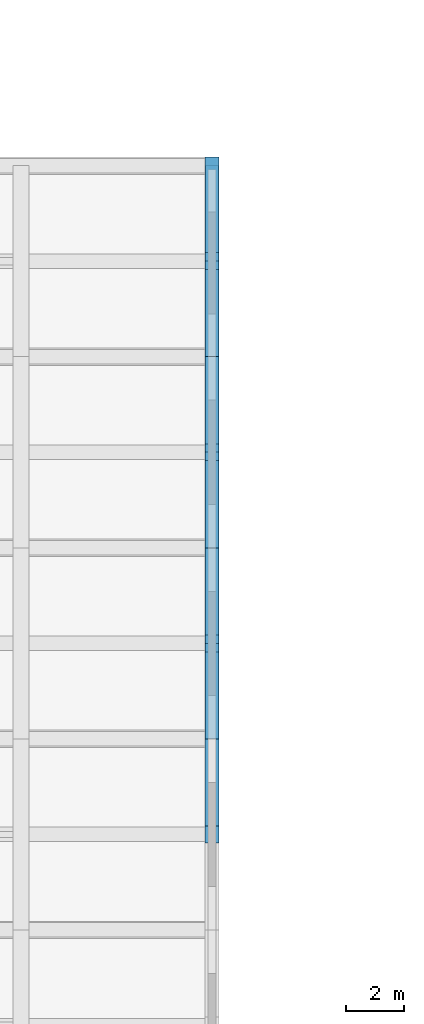
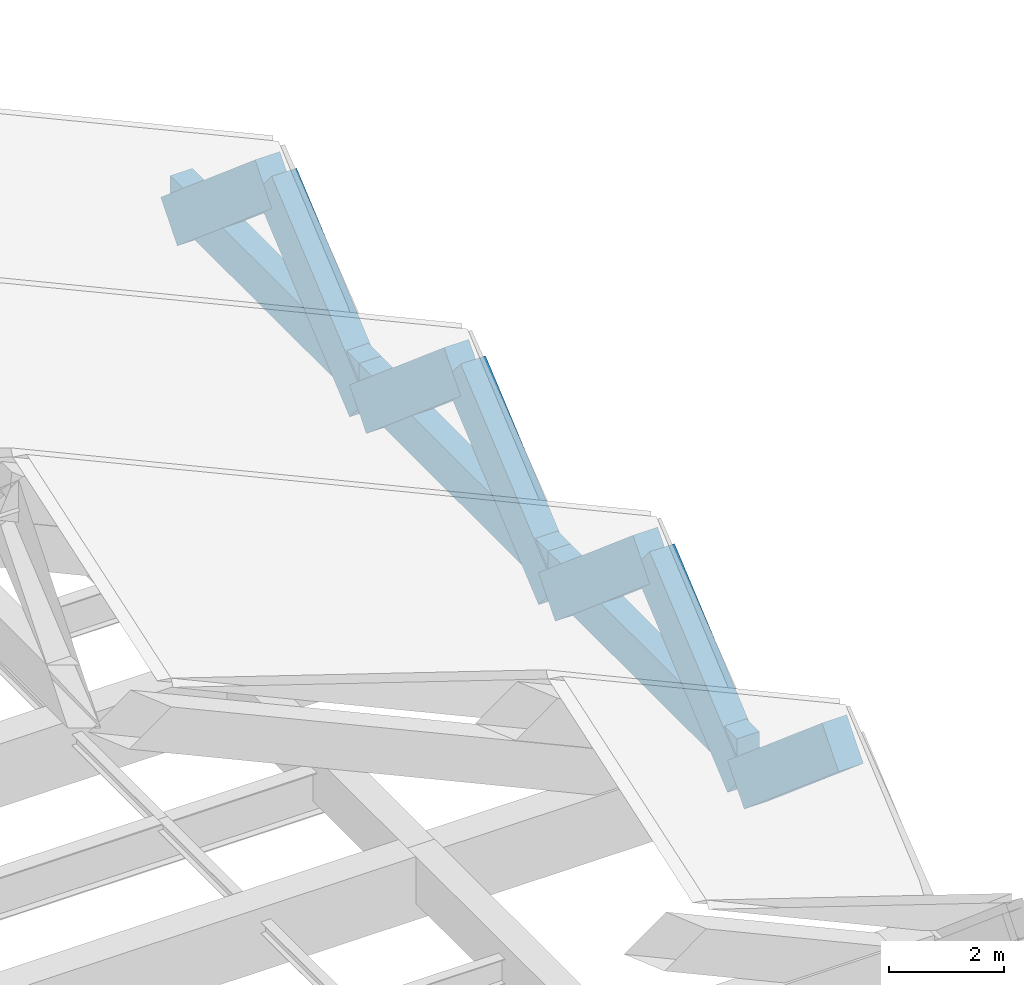
# One storey, part 10 of 50: 10 beams.
"""IFC4 building model written with IfcOpenShell, lengths in metres."""

import ifcopenshell
import ifcopenshell.guid

model = None  # the IFC model being written
_history = None  # IfcOwnerHistory: only IFC2X3 demands one
_inside = {}  # id of a spatial element -> (the spatial element, [elements in it])
_under = {}  # id of a project, library or spatial element -> (it, [spatial elements below it])
_declared = {}  # id of a project -> (the project, [libraries it declares])
_typed = {}  # id of a type object -> (the type object, [elements of that type])
_made_of = {}  # id of a material, layer set ... -> (it, [elements and type objects made of it])


def new_model(schema):
    """Start an empty IFC model of exactly this schema.

    Asked for "IFC4X3", IfcOpenShell would pick the latest addendum, in which some entities
    have other attributes; the version numbers below select the first issue.
    IFC2X3 requires an IfcOwnerHistory on every rooted entity: one is made here for all.
    """
    global model, _history
    if schema == "IFC4X3":
        model = ifcopenshell.file(schema_version=(4, 3, 0, 0))
    else:
        model = ifcopenshell.file(schema=schema)
    _inside.clear()
    _under.clear()
    _declared.clear()
    _typed.clear()
    _made_of.clear()
    _history = None
    if model.schema == "IFC2X3":
        org = make("IfcOrganization", Name="unknown")
        user = make(
            "IfcPersonAndOrganization",
            ThePerson=make("IfcPerson", FamilyName="unknown"),
            TheOrganization=org,
        )
        app = make(
            "IfcApplication",
            ApplicationDeveloper=org,
            Version="unknown",
            ApplicationFullName="unknown",
            ApplicationIdentifier="unknown",
        )
        _history = make(
            "IfcOwnerHistory",
            OwningUser=user,
            OwningApplication=app,
            ChangeAction="ADDED",
            CreationDate=0,
        )
    return model


def make(cls, **values):
    """One entity of the class cls with the attributes given. An attribute that is None is left unset."""
    return model.create_entity(
        cls, **{name: value for name, value in values.items() if value is not None}
    )


def rooted(cls, **values):
    """An entity with a GlobalId (a new one), such as an element, a storey or a relation."""
    return make(cls, GlobalId=ifcopenshell.guid.new(), OwnerHistory=_history, **values)


def si_unit(unit_type, name, prefix=None):
    """IfcSIUnit, for example si_unit("LENGTHUNIT", "METRE", prefix="MILLI")."""
    return make("IfcSIUnit", UnitType=unit_type, Prefix=prefix, Name=name)


def assignment(units):
    """IfcUnitAssignment: the units of a project."""
    return None if units is None else make("IfcUnitAssignment", Units=units)


def point(xyz):
    """IfcCartesianPoint."""
    return None if xyz is None else make("IfcCartesianPoint", Coordinates=xyz)


def direction(xyz):
    """IfcDirection."""
    return None if xyz is None else make("IfcDirection", DirectionRatios=xyz)


def frame(location, z_axis=None, x_axis=None):
    """IfcAxis2Placement3D, a coordinate frame: its origin and axes. An axis left out is left unset."""
    return make(
        "IfcAxis2Placement3D",
        Location=point(location),
        Axis=direction(z_axis),
        RefDirection=direction(x_axis),
    )


def frame_2d(location, x_axis=None):
    """IfcAxis2Placement2D, a coordinate frame in the plane: its origin and x axis."""
    return make(
        "IfcAxis2Placement2D", Location=point(location), RefDirection=direction(x_axis)
    )


def origin():
    """The frame at (0, 0, 0) with its axes left unset."""
    return frame((0.0, 0.0, 0.0))


def origin_2d():
    """The frame at (0, 0) in the plane with its x axis left unset."""
    return frame_2d((0.0, 0.0))


def place(relative_to, where):
    """IfcLocalPlacement: puts the frame where relative to a parent placement (None: the world)."""
    return make(
        "IfcLocalPlacement", PlacementRelTo=relative_to, RelativePlacement=where
    )


def context(
    kind, dimensions, precision=None, world=None, true_north=None, identifier=None
):
    """IfcGeometricRepresentationContext, for example the 3D "Model" context."""
    return make(
        "IfcGeometricRepresentationContext",
        ContextIdentifier=identifier,
        ContextType=kind,
        CoordinateSpaceDimension=dimensions,
        Precision=precision,
        WorldCoordinateSystem=world,
        TrueNorth=true_north,
    )


def subcontext(parent, identifier, kind, view, scale=None):
    """IfcGeometricRepresentationSubContext, for example "Body" below "Model"."""
    return make(
        "IfcGeometricRepresentationSubContext",
        ContextIdentifier=identifier,
        ContextType=kind,
        ParentContext=parent,
        TargetScale=scale,
        TargetView=view,
    )


def project(units=None, contexts=None):
    """IfcProject with its units and contexts."""
    return rooted(
        "IfcProject",
        Name="project",
        RepresentationContexts=contexts,
        UnitsInContext=assignment(units),
    )


def spatial(cls, under=None, at=None, **own):
    """A site, building, storey or space (cls), placed at a placement, below another one or the project."""
    s = rooted(cls, ObjectPlacement=at, **own)
    if under is not None:
        _under.setdefault(under.id(), (under, []))[1].append(s)
    return s


def profile(cls, at=None, kind="AREA", **sizes):
    """A parametric profile (cls). Its sizes go by their IFC names, for example OverallWidth=200.0."""
    return make(cls, ProfileType=kind, Position=at, **sizes)


def rectangle(**sizes):
    """IfcRectangleProfileDef."""
    return profile("IfcRectangleProfileDef", **sizes)


def extrude(swept, where, along, depth):
    """IfcExtrudedAreaSolid: the profile swept, set in the frame where, extruded along a direction by depth."""
    return make(
        "IfcExtrudedAreaSolid",
        SweptArea=swept,
        Position=where,
        ExtrudedDirection=direction(along),
        Depth=depth,
    )


def shape(context_of_items, identifier, shape_type, items):
    """IfcShapeRepresentation: the items that make up one representation, for example the "Body"."""
    return make(
        "IfcShapeRepresentation",
        ContextOfItems=context_of_items,
        RepresentationIdentifier=identifier,
        RepresentationType=shape_type,
        Items=items,
    )


def material(Name=None, Category=None):
    """IfcMaterial."""
    return make("IfcMaterial", Name=Name, Category=Category)


def material_profile(
    of_material, cross_section, Name=None, Category=None, Priority=None
):
    """IfcMaterialProfile: a cross section and its material."""
    return make(
        "IfcMaterialProfile",
        Name=Name,
        Material=of_material,
        Profile=cross_section,
        Priority=Priority,
        Category=Category,
    )


def profile_set(profiles, Name=None, composite=None):
    """IfcMaterialProfileSet."""
    return make(
        "IfcMaterialProfileSet",
        Name=Name,
        MaterialProfiles=profiles,
        CompositeProfile=composite,
    )


def made_of(thing, what):
    """Note that an element or type object is made of a material, layer set ...; save() writes the relation."""
    if what is not None:
        _made_of.setdefault(what.id(), (what, []))[1].append(thing)
    return thing


def type_object(cls, material=None, **own):
    """A type object (cls), such as IfcWallType, which elements share."""
    return made_of(rooted(cls, **own), material)


def element(
    cls,
    number,
    at=None,
    inside=None,
    cuts=None,
    type_object=None,
    material=None,
    context=None,
    identifier="Body",
    shape_type=None,
    held_by="IfcProductDefinitionShape",
    body=None,
    shapes=None,
    **own,
):
    """One element of the class cls, such as IfcWall. Its Tag is "e" and its number.

    at: its placement. inside: the storey or other place that contains it. cuts: it is an
    opening in that element (IfcRelVoidsElement). A single representation is given by context,
    identifier, shape_type and body (its items); several are given by shapes. held_by: the class
    of the entity that holds the representations. save() writes the other relations.
    """
    e = rooted(cls, Tag="e%d" % number, ObjectPlacement=at, **own)
    if body is not None:
        shapes = [shape(context, identifier, shape_type, body)]
    if shapes is not None:
        e.Representation = make(held_by, Representations=shapes)
    if inside is not None:
        _inside.setdefault(inside.id(), (inside, []))[1].append(e)
    if cuts is not None:
        rooted(
            "IfcRelVoidsElement", RelatingBuildingElement=cuts, RelatedOpeningElement=e
        )
    if type_object is not None:
        _typed.setdefault(type_object.id(), (type_object, []))[1].append(e)
    return made_of(e, material)


def aggregate(whole, parts):
    """IfcRelAggregates: a whole, such as a stair, and the parts it consists of."""
    return rooted("IfcRelAggregates", RelatingObject=whole, RelatedObjects=parts)


def save(model, path):
    """Write the relations noted so far, then the file.

    IfcRelAggregates (storeys below a building ...), IfcRelContainedInSpatialStructure (elements
    in a storey), IfcRelDefinesByType, IfcRelAssociatesMaterial and IfcRelDeclares: one each for
    every whole, place, type object, material and project.
    """
    for whole, parts in _under.values():
        aggregate(whole, parts)
    for where, things in _inside.values():
        rooted(
            "IfcRelContainedInSpatialStructure",
            RelatedElements=things,
            RelatingStructure=where,
        )
    for kind, things in _typed.values():
        rooted("IfcRelDefinesByType", RelatedObjects=things, RelatingType=kind)
    for what, things in _made_of.values():
        rooted("IfcRelAssociatesMaterial", RelatedObjects=things, RelatingMaterial=what)
    for by, libraries in _declared.values():
        rooted("IfcRelDeclares", RelatingContext=by, RelatedDefinitions=libraries)
    model.write(path)


model = new_model("IFC4")

# Units and contexts
model_context = context("Model", 3, precision=1e-05, world=origin(), true_north=direction((0.0, 1.0)))
body_context = subcontext(model_context, "Body", "Model", "MODEL_VIEW")
ifc_project = project(units=[si_unit("LENGTHUNIT", "METRE"), si_unit("AREAUNIT", "SQUARE_METRE"), si_unit("VOLUMEUNIT", "CUBIC_METRE"), si_unit("PLANEANGLEUNIT", "RADIAN"), si_unit("MASSUNIT", "GRAM", prefix="KILO")], contexts=[model_context])

# Site, building, storey
site_placement = place(None, origin())
site = spatial("IfcSite", under=ifc_project, at=site_placement, CompositionType="ELEMENT")
building_placement = place(site_placement, origin())
building = spatial("IfcBuilding", under=site, at=building_placement, Name="Dornvale Research Institute", CompositionType="ELEMENT")
storey_placement = place(building_placement, frame((0.0, 0.0, 19.800048828125)))
storey = spatial("IfcBuildingStorey", under=building, at=storey_placement, Name="L04", CompositionType="ELEMENT", Elevation=19.800048828125)

# Beams
ifc_material_1 = material(Name="Concrete f'c 45 MPa (C35/45)", Category="concrete")
ifc_material_profile_1 = material_profile(ifc_material_1, rectangle(XDim=0.449951171875, YDim=0.85009765625, at=origin_2d()), Name="RC 450x850")
ifc_profile_set_1 = profile_set([ifc_material_profile_1], Name="Concrete f'c 45 MPa (C35/45)")
beam_type_1 = type_object("IfcBeamType", Name="Spandrel_RC450x850_Ext", PredefinedType="SPANDREL", material=ifc_profile_set_1)
beam_1_placement = place(storey_placement, frame((66.0, 66.0, -0.425048828125), z_axis=(0.0, 1.0, 0.0), x_axis=(-1.0, 0.0, 0.0)))
element("IfcBeam", 1, at=beam_1_placement, inside=storey, type_object=beam_type_1, Name="L04 V2 east eave beam #1962", PredefinedType="SPANDREL", context=body_context, shape_type="SweptSolid", body=[
    extrude(rectangle(XDim=0.449951171875, YDim=0.85009765625, at=origin_2d()), origin(), (0.0, 0.0, 1.0), 6.60009765625),
])
beam_2_placement = place(storey_placement, frame((66.0, 72.60009765625, -0.425048828125), z_axis=(0.0, 1.0, 0.0), x_axis=(-1.0, 0.0, 0.0)))
element("IfcBeam", 2, at=beam_2_placement, inside=storey, type_object=beam_type_1, Name="L04 V2 east eave beam #1967", PredefinedType="SPANDREL", context=body_context, shape_type="SweptSolid", body=[
    extrude(rectangle(XDim=0.449951171875, YDim=0.85009765625, at=origin_2d()), origin(), (0.0, 0.0, 1.0), 6.599853515625),
])
beam_3_placement = place(storey_placement, frame((66.0, 79.199951171875, -0.425048828125), z_axis=(0.0, 1.0, 0.0), x_axis=(-1.0, 0.0, 0.0)))
element("IfcBeam", 3, at=beam_3_placement, inside=storey, type_object=beam_type_1, Name="L04 V2 east eave beam #1972", PredefinedType="SPANDREL", context=body_context, shape_type="SweptSolid", body=[
    extrude(rectangle(XDim=0.449951171875, YDim=0.85009765625, at=origin_2d()), origin(), (0.0, 0.0, 1.0), 6.60009765625),
])
ifc_material_2 = material(Name="Concrete f'c 45 MPa (C35/45)", Category="concrete")
ifc_material_profile_2 = material_profile(ifc_material_2, rectangle(XDim=0.5, YDim=0.89990234375, at=origin_2d()), Name="RC 500x900")
ifc_profile_set_2 = profile_set([ifc_material_profile_2], Name="Concrete f'c 45 MPa (C35/45)")
beam_type_2 = type_object("IfcBeamType", Name="Spandrel_RC500x900_Pleat", PredefinedType="SPANDREL", material=ifc_profile_set_2)
for number, where, z_axis, x_axis, name in (
    (4, (66.0, 62.699951171875, 1.829833984375), (0.0, 0.762536121444, -0.646945641838), (-1.0, 0.0, 0.0), "L04 V2 pleated eave chord N #1975"),
    (5, (66.0, 66.0, -0.969970703125), (0.0, 0.762536121444, 0.646945641838), (-1.0, 0.0, 0.0), "L04 V2 pleated eave chord S #1975"),
    (6, (66.0, 69.300048828125, 1.829833984375), (0.0, 0.762536121444, -0.646945641838), (-1.0, 0.0, 0.0), "L04 V2 pleated eave chord N #1975"),
    (7, (66.0, 72.60009765625, -0.969970703125), (0.0, 0.762512508849, 0.646973472291), (-1.0, 0.0, 0.0), "L04 V2 pleated eave chord S #1975"),
    (8, (66.0, 75.89990234375, 1.829833984375), (0.0, 0.762536121444, -0.646945641838), (-1.0, 0.0, 0.0), "L04 V2 pleated eave chord N #1975"),
    (9, (66.0, 79.199951171875, -0.969970703125), (0.0, 0.762536121444, 0.646945641838), (-1.0, 0.0, 0.0), "L04 V2 pleated eave chord S #1975"),
    (10, (66.0, 82.5, 1.829833984375), (0.0, 0.762536121444, -0.646945641838), (-1.0, 0.0, 0.0), "L04 V2 pleated eave chord N #1975"),
):
    element("IfcBeam", number, at=place(storey_placement, frame(where, z_axis=z_axis, x_axis=x_axis)), inside=storey, type_object=beam_type_2, Name=name, PredefinedType="SPANDREL", context=body_context, shape_type="SweptSolid", body=[
        extrude(rectangle(XDim=0.5, YDim=0.89990234375, at=origin_2d()), origin(), (0.0, 0.0, 1.0), 4.32763671875),
    ])

save(model, "model.ifc")
